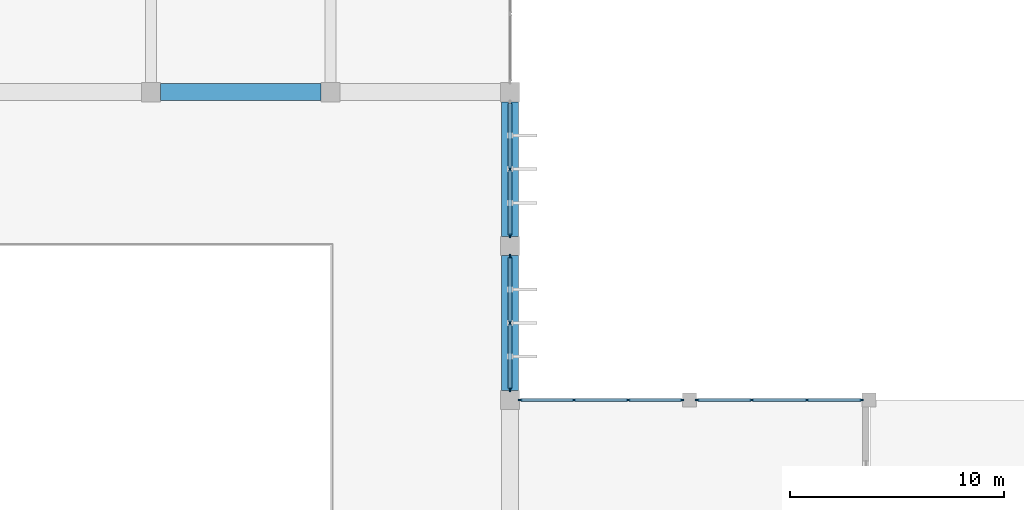
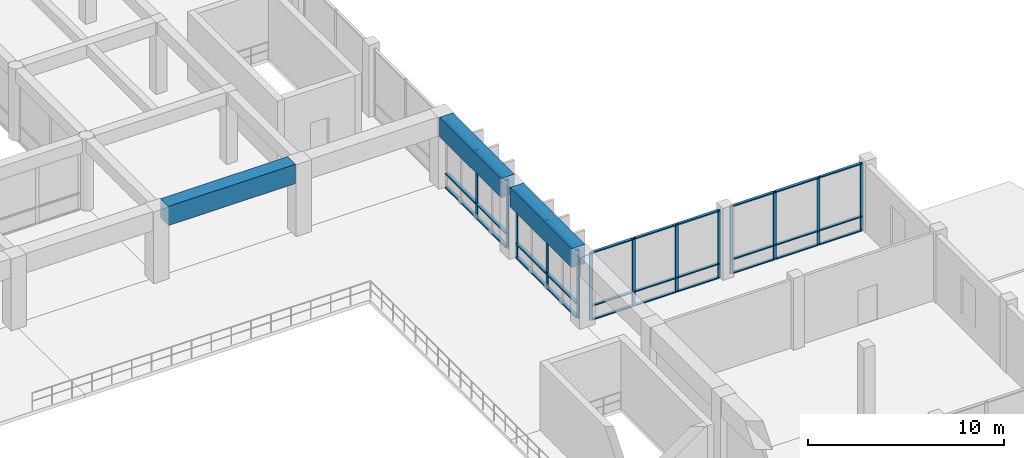
# One storey, part 12 of 40: 43 members, 3 beams, 4 elements without a shape of their own.
"""IFC4 building model written with IfcOpenShell, lengths in metres."""

from ifc_helpers import new_model, si_unit, direction, frame, origin, origin_2d, place, context, subcontext, project, spatial, rectangle, extrude, material, material_profile, profile_set, type_object, element, aggregate, save


model = new_model("IFC4")

# Units and contexts
model_context = context("Model", 3, precision=1e-05, world=origin(), true_north=direction((0.0, 1.0)))
body_context = subcontext(model_context, "Body", "Model", "MODEL_VIEW")
ifc_project = project(units=[si_unit("LENGTHUNIT", "METRE"), si_unit("AREAUNIT", "SQUARE_METRE"), si_unit("VOLUMEUNIT", "CUBIC_METRE"), si_unit("PLANEANGLEUNIT", "RADIAN"), si_unit("MASSUNIT", "GRAM", prefix="KILO")], contexts=[model_context])

# Site, building, storey
site_placement = place(None, origin())
site = spatial("IfcSite", under=ifc_project, at=site_placement, CompositionType="ELEMENT")
building_placement = place(site_placement, origin())
building = spatial("IfcBuilding", under=site, at=building_placement, Name="Kenerak Square Central Library", CompositionType="ELEMENT")
storey_placement = place(building_placement, frame((0.0, 0.0, 14.39990234375)))
storey = spatial("IfcBuildingStorey", under=building, at=storey_placement, Name="L03", CompositionType="ELEMENT", Elevation=14.39990234375)

# Curtain wall, members
ifc_material_1 = material(Name="Anodised aluminium and solar-control low-E glazing", Category="aluminium")
curtain_wall_type_1 = type_object("IfcCurtainWallType", Name="Curtain Wall CW-V6-76x42 7625x4230", PredefinedType="USERDEFINED", material=ifc_material_1)
curtain_wall_1_placement = place(storey_placement, origin())
curtain_wall_1 = element("IfcCurtainWall", 1, at=curtain_wall_1_placement, inside=storey, type_object=curtain_wall_type_1, Name="Curtain Wall CW-V6-76x42 L03 0123", ObjectType="CURTAIN WALL", PredefinedType="USERDEFINED")
ifc_material_2 = material(Name="Anodised aluminium 6063-T6", Category="aluminium")
ifc_material_profile_1 = material_profile(ifc_material_2, rectangle(XDim=0.06494140625, YDim=0.179931640625, at=origin_2d()), Name="AL MULLION 65x180")
ifc_profile_set_1 = profile_set([ifc_material_profile_1], Name="Anodised aluminium 6063-T6")
member_type_1 = type_object("IfcMemberType", Name="Curtain Mullion CM-01 65x180", PredefinedType="MULLION", material=ifc_profile_set_1)
member_1_placement = place(storey_placement, frame((117.6826171875, 38.39990234375, 0.0), z_axis=(0.0, 0.0, 1.0), x_axis=(0.0, 1.0, 0.0)))
member_1 = element("IfcMember", 2, at=member_1_placement, type_object=member_type_1, Name="CW-V6-76x42 Mullion 1", PredefinedType="MULLION", context=body_context, shape_type="SweptSolid", body=[
    extrude(rectangle(XDim=0.06494140625, YDim=0.179931640625, at=origin_2d()), origin(), (0.0, 0.0, 1.0), 4.22998046875),
])
member_2_placement = place(storey_placement, frame((120.191650390625, 38.39990234375, 0.0), z_axis=(0.0, 0.0, 1.0), x_axis=(0.0, 1.0, 0.0)))
member_2 = element("IfcMember", 3, at=member_2_placement, type_object=member_type_1, Name="CW-V6-76x42 Mullion 2", PredefinedType="MULLION", context=body_context, shape_type="SweptSolid", body=[
    extrude(rectangle(XDim=0.06494140625, YDim=0.179931640625, at=origin_2d()), origin(), (0.0, 0.0, 1.0), 4.22998046875),
])
member_3_placement = place(storey_placement, frame((122.7333984375, 38.39990234375, 0.0), z_axis=(0.0, 0.0, 1.0), x_axis=(0.0, 1.0, 0.0)))
member_3 = element("IfcMember", 4, at=member_3_placement, type_object=member_type_1, Name="CW-V6-76x42 Mullion 3", PredefinedType="MULLION", context=body_context, shape_type="SweptSolid", body=[
    extrude(rectangle(XDim=0.06494140625, YDim=0.179931640625, at=origin_2d()), origin(), (0.0, 0.0, 1.0), 4.22998046875),
])
member_4_placement = place(storey_placement, frame((125.242431640625, 38.39990234375, 0.0), z_axis=(0.0, 0.0, 1.0), x_axis=(0.0, 1.0, 0.0)))
member_4 = element("IfcMember", 5, at=member_4_placement, type_object=member_type_1, Name="CW-V6-76x42 Mullion 4", PredefinedType="MULLION", context=body_context, shape_type="SweptSolid", body=[
    extrude(rectangle(XDim=0.06494140625, YDim=0.179931640625, at=origin_2d()), origin(), (0.0, 0.0, 1.0), 4.22998046875),
])

curtain_wall_type_2 = type_object("IfcCurtainWallType", Name="Curtain Wall CW-V6-77x42 7750x4230", PredefinedType="USERDEFINED", material=ifc_material_1)
curtain_wall_2_placement = place(storey_placement, origin())
curtain_wall_2 = element("IfcCurtainWall", 6, at=curtain_wall_2_placement, inside=storey, type_object=curtain_wall_type_2, Name="Curtain Wall CW-V6-77x42 L03 0124", ObjectType="CURTAIN WALL", PredefinedType="USERDEFINED")
member_5_placement = place(storey_placement, frame((125.95751953125, 38.39990234375, 0.0), z_axis=(0.0, 0.0, 1.0), x_axis=(0.0, 1.0, 0.0)))
member_5 = element("IfcMember", 7, at=member_5_placement, type_object=member_type_1, Name="CW-V6-77x42 Mullion 1", PredefinedType="MULLION", context=body_context, shape_type="SweptSolid", body=[
    extrude(rectangle(XDim=0.06494140625, YDim=0.179931640625, at=origin_2d()), origin(), (0.0, 0.0, 1.0), 4.22998046875),
])
member_6_placement = place(storey_placement, frame((128.50830078125, 38.39990234375, 0.0), z_axis=(0.0, 0.0, 1.0), x_axis=(0.0, 1.0, 0.0)))
member_6 = element("IfcMember", 8, at=member_6_placement, type_object=member_type_1, Name="CW-V6-77x42 Mullion 2", PredefinedType="MULLION", context=body_context, shape_type="SweptSolid", body=[
    extrude(rectangle(XDim=0.06494140625, YDim=0.179931640625, at=origin_2d()), origin(), (0.0, 0.0, 1.0), 4.22998046875),
])
member_7_placement = place(storey_placement, frame((131.091552734375, 38.39990234375, 0.0), z_axis=(0.0, 0.0, 1.0), x_axis=(0.0, 1.0, 0.0)))
member_7 = element("IfcMember", 9, at=member_7_placement, type_object=member_type_1, Name="CW-V6-77x42 Mullion 3", PredefinedType="MULLION", context=body_context, shape_type="SweptSolid", body=[
    extrude(rectangle(XDim=0.06494140625, YDim=0.179931640625, at=origin_2d()), origin(), (0.0, 0.0, 1.0), 4.22998046875),
])
member_8_placement = place(storey_placement, frame((133.642578125, 38.39990234375, 0.0), z_axis=(0.0, 0.0, 1.0), x_axis=(0.0, 1.0, 0.0)))
member_8 = element("IfcMember", 10, at=member_8_placement, type_object=member_type_1, Name="CW-V6-77x42 Mullion 4", PredefinedType="MULLION", context=body_context, shape_type="SweptSolid", body=[
    extrude(rectangle(XDim=0.06494140625, YDim=0.179931640625, at=origin_2d()), origin(), (0.0, 0.0, 1.0), 4.22998046875),
])

curtain_wall_type_3 = type_object("IfcCurtainWallType", Name="Curtain Wall CW-V1-63x42 6300x4230", PredefinedType="USERDEFINED", material=ifc_material_1)
curtain_wall_3_placement = place(storey_placement, origin())
curtain_wall_3 = element("IfcCurtainWall", 11, at=curtain_wall_3_placement, inside=storey, type_object=curtain_wall_type_3, Name="Curtain Wall CW-V1-63x42 L03 0121", ObjectType="CURTAIN WALL", PredefinedType="USERDEFINED")
ifc_material_profile_2 = material_profile(ifc_material_2, rectangle(XDim=0.074951171875, YDim=0.219970703125, at=origin_2d()), Name="AL MULLION 75x220")
ifc_profile_set_2 = profile_set([ifc_material_profile_2], Name="Anodised aluminium 6063-T6")
member_type_2 = type_object("IfcMemberType", Name="Curtain Mullion CM-02 75x220", PredefinedType="MULLION", material=ifc_profile_set_2)
member_9_placement = place(storey_placement, frame((117.199951171875, 49.199951171875, 0.0), z_axis=(0.0, 0.0, 1.0), x_axis=(1.0, 0.0, 0.0)))
member_9 = element("IfcMember", 12, at=member_9_placement, type_object=member_type_2, Name="CW-V1-63x42 Mullion 2", PredefinedType="MULLION", context=body_context, shape_type="SweptSolid", body=[
    extrude(rectangle(XDim=0.074951171875, YDim=0.219970703125, at=origin_2d()), origin(), (0.0, 0.0, 1.0), 4.22998046875),
])
member_10_placement = place(storey_placement, frame((117.199951171875, 46.08740234375, 0.0), z_axis=(0.0, 0.0, 1.0), x_axis=(1.0, 0.0, 0.0)))
member_10 = element("IfcMember", 13, at=member_10_placement, type_object=member_type_2, Name="CW-V1-63x42 Mullion 3", PredefinedType="MULLION", context=body_context, shape_type="SweptSolid", body=[
    extrude(rectangle(XDim=0.074951171875, YDim=0.219970703125, at=origin_2d()), origin(), (0.0, 0.0, 1.0), 4.22998046875),
])

curtain_wall_4_placement = place(storey_placement, origin())
curtain_wall_4 = element("IfcCurtainWall", 14, at=curtain_wall_4_placement, inside=storey, type_object=curtain_wall_type_3, Name="Curtain Wall CW-V1-63x42 L03 0122", ObjectType="CURTAIN WALL", PredefinedType="USERDEFINED")
member_11_placement = place(storey_placement, frame((117.199951171875, 45.112548828125, 0.0), z_axis=(0.0, 0.0, 1.0), x_axis=(1.0, 0.0, 0.0)))
member_11 = element("IfcMember", 15, at=member_11_placement, type_object=member_type_2, Name="CW-V1-63x42 Mullion 1", PredefinedType="MULLION", context=body_context, shape_type="SweptSolid", body=[
    extrude(rectangle(XDim=0.074951171875, YDim=0.219970703125, at=origin_2d()), origin(), (0.0, 0.0, 1.0), 4.22998046875),
])
member_12_placement = place(storey_placement, frame((117.199951171875, 42.0, 0.0), z_axis=(0.0, 0.0, 1.0), x_axis=(1.0, 0.0, 0.0)))
member_12 = element("IfcMember", 16, at=member_12_placement, type_object=member_type_2, Name="CW-V1-63x42 Mullion 2", PredefinedType="MULLION", context=body_context, shape_type="SweptSolid", body=[
    extrude(rectangle(XDim=0.074951171875, YDim=0.219970703125, at=origin_2d()), origin(), (0.0, 0.0, 1.0), 4.22998046875),
])
member_13_placement = place(storey_placement, frame((117.199951171875, 38.887451171875, 0.0), z_axis=(0.0, 0.0, 1.0), x_axis=(1.0, 0.0, 0.0)))
member_13 = element("IfcMember", 17, at=member_13_placement, type_object=member_type_2, Name="CW-V1-63x42 Mullion 3", PredefinedType="MULLION", context=body_context, shape_type="SweptSolid", body=[
    extrude(rectangle(XDim=0.074951171875, YDim=0.219970703125, at=origin_2d()), origin(), (0.0, 0.0, 1.0), 4.22998046875),
])

# Member
ifc_material_profile_3 = material_profile(ifc_material_2, rectangle(XDim=0.159912109375, YDim=0.06494140625, at=origin_2d()), Name="AL TRANSOM 160x65")
ifc_profile_set_3 = profile_set([ifc_material_profile_3], Name="Anodised aluminium 6063-T6")
member_type_3 = type_object("IfcMemberType", Name="Curtain Transom CT-11 160x65", PredefinedType="USERDEFINED", material=ifc_profile_set_3)
member_14_placement = place(storey_placement, frame((117.715087890625, 38.39990234375, 0.03271484375), z_axis=(1.0, 0.0, 0.0), x_axis=(0.0, 1.0, 0.0)))
member_14 = element("IfcMember", 18, at=member_14_placement, type_object=member_type_3, Name="CW-V6-76x42 Transom 1.1", ObjectType="TRANSOM", PredefinedType="USERDEFINED", context=body_context, shape_type="SweptSolid", body=[
    extrude(rectangle(XDim=0.159912109375, YDim=0.06494140625, at=origin_2d()), origin(), (0.0, 0.0, 1.0), 2.444091796875),
])

member_15_placement = place(storey_placement, frame((117.715087890625, 38.39990234375, 0.900146484375), z_axis=(1.0, 0.0, 0.0), x_axis=(0.0, 1.0, 0.0)))
member_15 = element("IfcMember", 19, at=member_15_placement, type_object=member_type_3, Name="CW-V6-76x42 Transom 1.2", ObjectType="TRANSOM", PredefinedType="USERDEFINED", context=body_context, shape_type="SweptSolid", body=[
    extrude(rectangle(XDim=0.159912109375, YDim=0.06494140625, at=origin_2d()), origin(), (0.0, 0.0, 1.0), 2.444091796875),
])

member_16_placement = place(storey_placement, frame((117.715087890625, 38.39990234375, 4.197509765625), z_axis=(1.0, 0.0, 0.0), x_axis=(0.0, 1.0, 0.0)))
member_16 = element("IfcMember", 20, at=member_16_placement, type_object=member_type_3, Name="CW-V6-76x42 Transom 1.3", ObjectType="TRANSOM", PredefinedType="USERDEFINED", context=body_context, shape_type="SweptSolid", body=[
    extrude(rectangle(XDim=0.159912109375, YDim=0.06494140625, at=origin_2d()), origin(), (0.0, 0.0, 1.0), 2.444091796875),
])

member_17_placement = place(storey_placement, frame((120.22412109375, 38.39990234375, 0.03271484375), z_axis=(1.0, 0.0, 0.0), x_axis=(0.0, 1.0, 0.0)))
member_17 = element("IfcMember", 21, at=member_17_placement, type_object=member_type_3, Name="CW-V6-76x42 Transom 2.1", ObjectType="TRANSOM", PredefinedType="USERDEFINED", context=body_context, shape_type="SweptSolid", body=[
    extrude(rectangle(XDim=0.159912109375, YDim=0.06494140625, at=origin_2d()), origin(), (0.0, 0.0, 1.0), 2.476806640625),
])

member_18_placement = place(storey_placement, frame((120.22412109375, 38.39990234375, 0.900146484375), z_axis=(1.0, 0.0, 0.0), x_axis=(0.0, 1.0, 0.0)))
member_18 = element("IfcMember", 22, at=member_18_placement, type_object=member_type_3, Name="CW-V6-76x42 Transom 2.2", ObjectType="TRANSOM", PredefinedType="USERDEFINED", context=body_context, shape_type="SweptSolid", body=[
    extrude(rectangle(XDim=0.159912109375, YDim=0.06494140625, at=origin_2d()), origin(), (0.0, 0.0, 1.0), 2.476806640625),
])

member_19_placement = place(storey_placement, frame((120.22412109375, 38.39990234375, 4.197509765625), z_axis=(1.0, 0.0, 0.0), x_axis=(0.0, 1.0, 0.0)))
member_19 = element("IfcMember", 23, at=member_19_placement, type_object=member_type_3, Name="CW-V6-76x42 Transom 2.3", ObjectType="TRANSOM", PredefinedType="USERDEFINED", context=body_context, shape_type="SweptSolid", body=[
    extrude(rectangle(XDim=0.159912109375, YDim=0.06494140625, at=origin_2d()), origin(), (0.0, 0.0, 1.0), 2.476806640625),
])

member_20_placement = place(storey_placement, frame((122.765869140625, 38.39990234375, 0.03271484375), z_axis=(1.0, 0.0, 0.0), x_axis=(0.0, 1.0, 0.0)))
member_20 = element("IfcMember", 24, at=member_20_placement, type_object=member_type_3, Name="CW-V6-76x42 Transom 3.1", ObjectType="TRANSOM", PredefinedType="USERDEFINED", context=body_context, shape_type="SweptSolid", body=[
    extrude(rectangle(XDim=0.159912109375, YDim=0.06494140625, at=origin_2d()), origin(), (0.0, 0.0, 1.0), 2.444091796875),
])

member_21_placement = place(storey_placement, frame((122.765869140625, 38.39990234375, 0.900146484375), z_axis=(1.0, 0.0, 0.0), x_axis=(0.0, 1.0, 0.0)))
member_21 = element("IfcMember", 25, at=member_21_placement, type_object=member_type_3, Name="CW-V6-76x42 Transom 3.2", ObjectType="TRANSOM", PredefinedType="USERDEFINED", context=body_context, shape_type="SweptSolid", body=[
    extrude(rectangle(XDim=0.159912109375, YDim=0.06494140625, at=origin_2d()), origin(), (0.0, 0.0, 1.0), 2.444091796875),
])

member_22_placement = place(storey_placement, frame((122.765869140625, 38.39990234375, 4.197509765625), z_axis=(1.0, 0.0, 0.0), x_axis=(0.0, 1.0, 0.0)))
member_22 = element("IfcMember", 26, at=member_22_placement, type_object=member_type_3, Name="CW-V6-76x42 Transom 3.3", ObjectType="TRANSOM", PredefinedType="USERDEFINED", context=body_context, shape_type="SweptSolid", body=[
    extrude(rectangle(XDim=0.159912109375, YDim=0.06494140625, at=origin_2d()), origin(), (0.0, 0.0, 1.0), 2.444091796875),
])

aggregate(curtain_wall_1, [member_1, member_2, member_3, member_4, member_14, member_15, member_16, member_17, member_18, member_19, member_20, member_21, member_22])

member_23_placement = place(storey_placement, frame((125.989990234375, 38.39990234375, 0.03271484375), z_axis=(1.0, 0.0, 0.0), x_axis=(0.0, 1.0, 0.0)))
member_23 = element("IfcMember", 27, at=member_23_placement, type_object=member_type_3, Name="CW-V6-77x42 Transom 1.1", ObjectType="TRANSOM", PredefinedType="USERDEFINED", context=body_context, shape_type="SweptSolid", body=[
    extrude(rectangle(XDim=0.159912109375, YDim=0.06494140625, at=origin_2d()), origin(), (0.0, 0.0, 1.0), 2.48583984375),
])

member_24_placement = place(storey_placement, frame((125.989990234375, 38.39990234375, 0.900146484375), z_axis=(1.0, 0.0, 0.0), x_axis=(0.0, 1.0, 0.0)))
member_24 = element("IfcMember", 28, at=member_24_placement, type_object=member_type_3, Name="CW-V6-77x42 Transom 1.2", ObjectType="TRANSOM", PredefinedType="USERDEFINED", context=body_context, shape_type="SweptSolid", body=[
    extrude(rectangle(XDim=0.159912109375, YDim=0.06494140625, at=origin_2d()), origin(), (0.0, 0.0, 1.0), 2.48583984375),
])

member_25_placement = place(storey_placement, frame((125.989990234375, 38.39990234375, 4.197509765625), z_axis=(1.0, 0.0, 0.0), x_axis=(0.0, 1.0, 0.0)))
member_25 = element("IfcMember", 29, at=member_25_placement, type_object=member_type_3, Name="CW-V6-77x42 Transom 1.3", ObjectType="TRANSOM", PredefinedType="USERDEFINED", context=body_context, shape_type="SweptSolid", body=[
    extrude(rectangle(XDim=0.159912109375, YDim=0.06494140625, at=origin_2d()), origin(), (0.0, 0.0, 1.0), 2.48583984375),
])

member_26_placement = place(storey_placement, frame((128.540771484375, 38.39990234375, 0.03271484375), z_axis=(1.0, 0.0, 0.0), x_axis=(0.0, 1.0, 0.0)))
member_26 = element("IfcMember", 30, at=member_26_placement, type_object=member_type_3, Name="CW-V6-77x42 Transom 2.1", ObjectType="TRANSOM", PredefinedType="USERDEFINED", context=body_context, shape_type="SweptSolid", body=[
    extrude(rectangle(XDim=0.159912109375, YDim=0.06494140625, at=origin_2d()), origin(), (0.0, 0.0, 1.0), 2.518310546875),
])

member_27_placement = place(storey_placement, frame((128.540771484375, 38.39990234375, 0.900146484375), z_axis=(1.0, 0.0, 0.0), x_axis=(0.0, 1.0, 0.0)))
member_27 = element("IfcMember", 31, at=member_27_placement, type_object=member_type_3, Name="CW-V6-77x42 Transom 2.2", ObjectType="TRANSOM", PredefinedType="USERDEFINED", context=body_context, shape_type="SweptSolid", body=[
    extrude(rectangle(XDim=0.159912109375, YDim=0.06494140625, at=origin_2d()), origin(), (0.0, 0.0, 1.0), 2.518310546875),
])

member_28_placement = place(storey_placement, frame((128.540771484375, 38.39990234375, 4.197509765625), z_axis=(1.0, 0.0, 0.0), x_axis=(0.0, 1.0, 0.0)))
member_28 = element("IfcMember", 32, at=member_28_placement, type_object=member_type_3, Name="CW-V6-77x42 Transom 2.3", ObjectType="TRANSOM", PredefinedType="USERDEFINED", context=body_context, shape_type="SweptSolid", body=[
    extrude(rectangle(XDim=0.159912109375, YDim=0.06494140625, at=origin_2d()), origin(), (0.0, 0.0, 1.0), 2.518310546875),
])

member_29_placement = place(storey_placement, frame((131.124267578125, 38.39990234375, 0.03271484375), z_axis=(1.0, 0.0, 0.0), x_axis=(0.0, 1.0, 0.0)))
member_29 = element("IfcMember", 33, at=member_29_placement, type_object=member_type_3, Name="CW-V6-77x42 Transom 3.1", ObjectType="TRANSOM", PredefinedType="USERDEFINED", context=body_context, shape_type="SweptSolid", body=[
    extrude(rectangle(XDim=0.159912109375, YDim=0.06494140625, at=origin_2d()), origin(), (0.0, 0.0, 1.0), 2.48583984375),
])

member_30_placement = place(storey_placement, frame((131.124267578125, 38.39990234375, 0.900146484375), z_axis=(1.0, 0.0, 0.0), x_axis=(0.0, 1.0, 0.0)))
member_30 = element("IfcMember", 34, at=member_30_placement, type_object=member_type_3, Name="CW-V6-77x42 Transom 3.2", ObjectType="TRANSOM", PredefinedType="USERDEFINED", context=body_context, shape_type="SweptSolid", body=[
    extrude(rectangle(XDim=0.159912109375, YDim=0.06494140625, at=origin_2d()), origin(), (0.0, 0.0, 1.0), 2.48583984375),
])

member_31_placement = place(storey_placement, frame((131.124267578125, 38.39990234375, 4.197509765625), z_axis=(1.0, 0.0, 0.0), x_axis=(0.0, 1.0, 0.0)))
member_31 = element("IfcMember", 35, at=member_31_placement, type_object=member_type_3, Name="CW-V6-77x42 Transom 3.3", ObjectType="TRANSOM", PredefinedType="USERDEFINED", context=body_context, shape_type="SweptSolid", body=[
    extrude(rectangle(XDim=0.159912109375, YDim=0.06494140625, at=origin_2d()), origin(), (0.0, 0.0, 1.0), 2.48583984375),
])

aggregate(curtain_wall_2, [member_5, member_6, member_7, member_8, member_23, member_24, member_25, member_26, member_27, member_28, member_29, member_30, member_31])

ifc_material_profile_4 = material_profile(ifc_material_2, rectangle(XDim=0.199951171875, YDim=0.074951171875, at=origin_2d()), Name="AL TRANSOM 200x75")
ifc_profile_set_4 = profile_set([ifc_material_profile_4], Name="Anodised aluminium 6063-T6")
member_type_4 = type_object("IfcMemberType", Name="Curtain Transom CT-12 200x75", PredefinedType="USERDEFINED", material=ifc_profile_set_4)
member_32_placement = place(storey_placement, frame((117.199951171875, 52.27490234375, 0.03759765625), z_axis=(0.0, -1.0, 0.0), x_axis=(1.0, 0.0, 0.0)))
member_32 = element("IfcMember", 36, at=member_32_placement, type_object=member_type_4, Name="CW-V1-63x42 Transom 1.1", ObjectType="TRANSOM", PredefinedType="USERDEFINED", context=body_context, shape_type="SweptSolid", body=[
    extrude(rectangle(XDim=0.199951171875, YDim=0.074951171875, at=origin_2d()), origin(), (0.0, 0.0, 1.0), 3.037353515625),
])

member_33_placement = place(storey_placement, frame((117.199951171875, 52.27490234375, 0.900146484375), z_axis=(0.0, -1.0, 0.0), x_axis=(1.0, 0.0, 0.0)))
member_33 = element("IfcMember", 37, at=member_33_placement, type_object=member_type_4, Name="CW-V1-63x42 Transom 1.2", ObjectType="TRANSOM", PredefinedType="USERDEFINED", context=body_context, shape_type="SweptSolid", body=[
    extrude(rectangle(XDim=0.199951171875, YDim=0.074951171875, at=origin_2d()), origin(), (0.0, 0.0, 1.0), 3.037353515625),
])

member_34_placement = place(storey_placement, frame((117.199951171875, 52.27490234375, 4.192626953125), z_axis=(0.0, -1.0, 0.0), x_axis=(1.0, 0.0, 0.0)))
member_34 = element("IfcMember", 38, at=member_34_placement, type_object=member_type_4, Name="CW-V1-63x42 Transom 1.3", ObjectType="TRANSOM", PredefinedType="USERDEFINED", context=body_context, shape_type="SweptSolid", body=[
    extrude(rectangle(XDim=0.199951171875, YDim=0.074951171875, at=origin_2d()), origin(), (0.0, 0.0, 1.0), 3.037353515625),
])

member_35_placement = place(storey_placement, frame((117.199951171875, 49.16259765625, 0.03759765625), z_axis=(0.0, -1.0, 0.0), x_axis=(1.0, 0.0, 0.0)))
member_35 = element("IfcMember", 39, at=member_35_placement, type_object=member_type_4, Name="CW-V1-63x42 Transom 2.1", ObjectType="TRANSOM", PredefinedType="USERDEFINED", context=body_context, shape_type="SweptSolid", body=[
    extrude(rectangle(XDim=0.199951171875, YDim=0.074951171875, at=origin_2d()), origin(), (0.0, 0.0, 1.0), 3.03759765625),
])

member_36_placement = place(storey_placement, frame((117.199951171875, 49.16259765625, 0.900146484375), z_axis=(0.0, -1.0, 0.0), x_axis=(1.0, 0.0, 0.0)))
member_36 = element("IfcMember", 40, at=member_36_placement, type_object=member_type_4, Name="CW-V1-63x42 Transom 2.2", ObjectType="TRANSOM", PredefinedType="USERDEFINED", context=body_context, shape_type="SweptSolid", body=[
    extrude(rectangle(XDim=0.199951171875, YDim=0.074951171875, at=origin_2d()), origin(), (0.0, 0.0, 1.0), 3.03759765625),
])

member_37_placement = place(storey_placement, frame((117.199951171875, 49.16259765625, 4.192626953125), z_axis=(0.0, -1.0, 0.0), x_axis=(1.0, 0.0, 0.0)))
member_37 = element("IfcMember", 41, at=member_37_placement, type_object=member_type_4, Name="CW-V1-63x42 Transom 2.3", ObjectType="TRANSOM", PredefinedType="USERDEFINED", context=body_context, shape_type="SweptSolid", body=[
    extrude(rectangle(XDim=0.199951171875, YDim=0.074951171875, at=origin_2d()), origin(), (0.0, 0.0, 1.0), 3.03759765625),
])

aggregate(curtain_wall_3, [member_9, member_10, member_32, member_33, member_34, member_35, member_36, member_37])

member_38_placement = place(storey_placement, frame((117.199951171875, 45.074951171875, 0.03759765625), z_axis=(0.0, -1.0, 0.0), x_axis=(1.0, 0.0, 0.0)))
member_38 = element("IfcMember", 42, at=member_38_placement, type_object=member_type_4, Name="CW-V1-63x42 Transom 1.1", ObjectType="TRANSOM", PredefinedType="USERDEFINED", context=body_context, shape_type="SweptSolid", body=[
    extrude(rectangle(XDim=0.199951171875, YDim=0.074951171875, at=origin_2d()), origin(), (0.0, 0.0, 1.0), 3.037353515625),
])

member_39_placement = place(storey_placement, frame((117.199951171875, 45.074951171875, 0.900146484375), z_axis=(0.0, -1.0, 0.0), x_axis=(1.0, 0.0, 0.0)))
member_39 = element("IfcMember", 43, at=member_39_placement, type_object=member_type_4, Name="CW-V1-63x42 Transom 1.2", ObjectType="TRANSOM", PredefinedType="USERDEFINED", context=body_context, shape_type="SweptSolid", body=[
    extrude(rectangle(XDim=0.199951171875, YDim=0.074951171875, at=origin_2d()), origin(), (0.0, 0.0, 1.0), 3.037353515625),
])

member_40_placement = place(storey_placement, frame((117.199951171875, 45.074951171875, 4.192626953125), z_axis=(0.0, -1.0, 0.0), x_axis=(1.0, 0.0, 0.0)))
member_40 = element("IfcMember", 44, at=member_40_placement, type_object=member_type_4, Name="CW-V1-63x42 Transom 1.3", ObjectType="TRANSOM", PredefinedType="USERDEFINED", context=body_context, shape_type="SweptSolid", body=[
    extrude(rectangle(XDim=0.199951171875, YDim=0.074951171875, at=origin_2d()), origin(), (0.0, 0.0, 1.0), 3.037353515625),
])

member_41_placement = place(storey_placement, frame((117.199951171875, 41.96240234375, 0.03759765625), z_axis=(0.0, -1.0, 0.0), x_axis=(1.0, 0.0, 0.0)))
member_41 = element("IfcMember", 45, at=member_41_placement, type_object=member_type_4, Name="CW-V1-63x42 Transom 2.1", ObjectType="TRANSOM", PredefinedType="USERDEFINED", context=body_context, shape_type="SweptSolid", body=[
    extrude(rectangle(XDim=0.199951171875, YDim=0.074951171875, at=origin_2d()), origin(), (0.0, 0.0, 1.0), 3.037353515625),
])

member_42_placement = place(storey_placement, frame((117.199951171875, 41.96240234375, 0.900146484375), z_axis=(0.0, -1.0, 0.0), x_axis=(1.0, 0.0, 0.0)))
member_42 = element("IfcMember", 46, at=member_42_placement, type_object=member_type_4, Name="CW-V1-63x42 Transom 2.2", ObjectType="TRANSOM", PredefinedType="USERDEFINED", context=body_context, shape_type="SweptSolid", body=[
    extrude(rectangle(XDim=0.199951171875, YDim=0.074951171875, at=origin_2d()), origin(), (0.0, 0.0, 1.0), 3.037353515625),
])

member_43_placement = place(storey_placement, frame((117.199951171875, 41.96240234375, 4.192626953125), z_axis=(0.0, -1.0, 0.0), x_axis=(1.0, 0.0, 0.0)))
member_43 = element("IfcMember", 47, at=member_43_placement, type_object=member_type_4, Name="CW-V1-63x42 Transom 2.3", ObjectType="TRANSOM", PredefinedType="USERDEFINED", context=body_context, shape_type="SweptSolid", body=[
    extrude(rectangle(XDim=0.199951171875, YDim=0.074951171875, at=origin_2d()), origin(), (0.0, 0.0, 1.0), 3.037353515625),
])

aggregate(curtain_wall_4, [member_11, member_12, member_13, member_38, member_39, member_40, member_41, member_42, member_43])

# Beams
ifc_material_3 = material(Name="Concrete C45/55", Category="concrete")
ifc_material_profile_5 = material_profile(ifc_material_3, rectangle(XDim=0.800048828125, YDim=1.199951171875, at=origin_2d()), Name="RC 800x1200")
ifc_profile_set_5 = profile_set([ifc_material_profile_5], Name="Concrete C45/55")
beam_type = type_object("IfcBeamType", Name="Gridshell Ring Beam RB-01 RC 800x1200 C45/55", PredefinedType="BEAM", material=ifc_profile_set_5)
beam_1_placement = place(storey_placement, frame((100.85009765625, 52.800048828125, 3.880126953125), z_axis=(1.0, 0.0, 0.0), x_axis=(0.0, 1.0, 0.0)))
element("IfcBeam", 48, at=beam_1_placement, inside=storey, type_object=beam_type, Name="Gridshell Ring Beam RB-01 13", PredefinedType="BEAM", context=body_context, shape_type="SweptSolid", body=[
    extrude(rectangle(XDim=0.800048828125, YDim=1.199951171875, at=origin_2d()), origin(), (0.0, 0.0, 1.0), 7.5),
])
beam_2_placement = place(storey_placement, frame((117.199951171875, 38.85009765625, 3.880126953125), z_axis=(0.0, 1.0, 0.0), x_axis=(-1.0, 0.0, 0.0)))
element("IfcBeam", 49, at=beam_2_placement, inside=storey, type_object=beam_type, Name="Gridshell Ring Beam RB-01 23", PredefinedType="BEAM", context=body_context, shape_type="SweptSolid", body=[
    extrude(rectangle(XDim=0.800048828125, YDim=1.199951171875, at=origin_2d()), origin(), (0.0, 0.0, 1.0), 6.2998046875),
])
beam_3_placement = place(storey_placement, frame((117.199951171875, 46.050048828125, 3.880126953125), z_axis=(0.0, 1.0, 0.0), x_axis=(-1.0, 0.0, 0.0)))
element("IfcBeam", 50, at=beam_3_placement, inside=storey, type_object=beam_type, Name="Gridshell Ring Beam RB-01 24", PredefinedType="BEAM", context=body_context, shape_type="SweptSolid", body=[
    extrude(rectangle(XDim=0.800048828125, YDim=1.199951171875, at=origin_2d()), origin(), (0.0, 0.0, 1.0), 6.300048828125),
])

save(model, "model.ifc")
